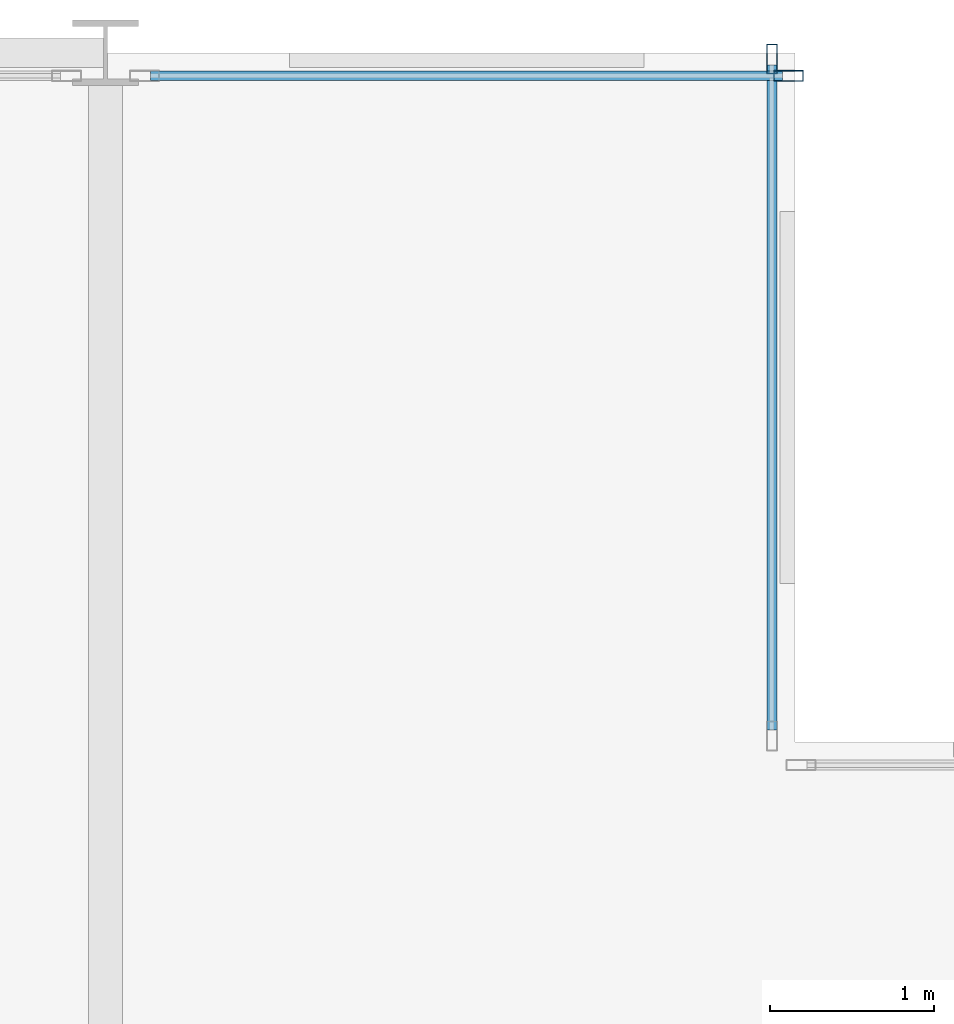
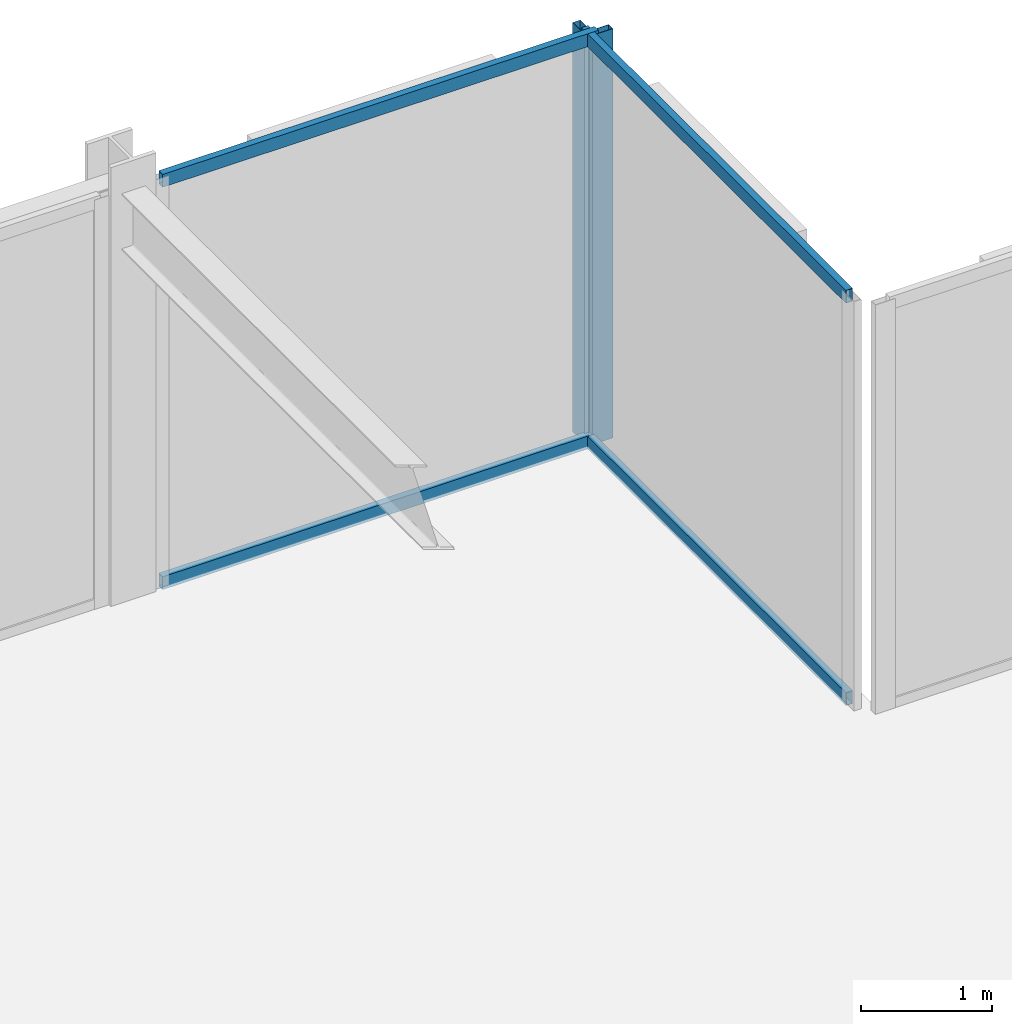
# One storey, part 22 of 29: 6 members, 2 elements without a shape of their own.
"""IFC4 building model written with IfcOpenShell, lengths in metres."""

from ifc_helpers import new_model, si_unit, direction, frame, origin, origin_2d, place, context, subcontext, project, spatial, hollow_rectangle, extrude, material, layer, layer_set, material_profile, profile_set, type_object, element, aggregate, save


model = new_model("IFC4")

# Units and contexts
model_context = context("Model", 3, precision=1e-05, world=origin(), true_north=direction((0.0, 1.0)))
body_context = subcontext(model_context, "Body", "Model", "MODEL_VIEW")
ifc_project = project(units=[si_unit("LENGTHUNIT", "METRE"), si_unit("AREAUNIT", "SQUARE_METRE"), si_unit("VOLUMEUNIT", "CUBIC_METRE"), si_unit("PLANEANGLEUNIT", "RADIAN"), si_unit("MASSUNIT", "GRAM", prefix="KILO")], contexts=[model_context])

# Site, building, storey
site_placement = place(None, origin())
site = spatial("IfcSite", under=ifc_project, at=site_placement, CompositionType="ELEMENT")
building_placement = place(site_placement, origin())
building = spatial("IfcBuilding", under=site, at=building_placement, Name="Nerrivon Quay Data Exchange", CompositionType="ELEMENT")
storey_placement = place(building_placement, frame((0.0, 0.0, 150.0)))
storey = spatial("IfcBuildingStorey", under=building, at=storey_placement, Name="L35", CompositionType="ELEMENT", Elevation=150.0)

# Curtain wall, member
ifc_material = material(Name="Anodised aluminium 6063-T6", Category="aluminium")
ifc_layer = layer(ifc_material, 0.2099609375)
ifc_layer_set = layer_set([ifc_layer], Name="Anodised aluminium 6063-T6")
curtain_wall_type = type_object("IfcCurtainWallType", Name="CW-SYS-02", PredefinedType="NOTDEFINED", material=ifc_layer_set)
curtain_wall_1_placement = place(storey_placement, origin())
curtain_wall_1 = element("IfcCurtainWall", 1, at=curtain_wall_1_placement, inside=storey, type_object=curtain_wall_type, Name="L35 Unitised Curtain Wall 20", PredefinedType="NOTDEFINED")
ifc_material_profile_1 = material_profile(ifc_material, hollow_rectangle(XDim=0.06494140625, YDim=0.179931640625, WallThickness=0.00341796875, at=origin_2d()), Name="ALU-MULL-180x65")
ifc_profile_set_1 = profile_set([ifc_material_profile_1], Name="Anodised aluminium 6063-T6")
member_type_1 = type_object("IfcMemberType", Name="CWM-180x65", PredefinedType="MULLION", material=ifc_profile_set_1)
member_1_placement = place(storey_placement, frame((20.96240234375, 50.260009765625, 0.0), z_axis=(0.0, 0.0, 1.0), x_axis=(0.0, 1.0, 0.0)))
member_1 = element("IfcMember", 2, at=member_1_placement, type_object=member_type_1, Name="CW02 mullion 2", PredefinedType="MULLION", context=body_context, shape_type="SweptSolid", body=[
    extrude(hollow_rectangle(XDim=0.06494140625, YDim=0.179931640625, WallThickness=0.00341796875, at=origin_2d()), origin(), (0.0, 0.0, 1.0), 3.824951171875),
])

curtain_wall_2_placement = place(storey_placement, origin())
curtain_wall_2 = element("IfcCurtainWall", 3, at=curtain_wall_2_placement, inside=storey, type_object=curtain_wall_type, Name="L35 Unitised Curtain Wall 21", PredefinedType="NOTDEFINED")
member_2_placement = place(storey_placement, frame((20.860107421875, 50.362548828125, 0.0), z_axis=(0.0, 0.0, 1.0), x_axis=(1.0, 0.0, 0.0)))
member_2 = element("IfcMember", 4, at=member_2_placement, type_object=member_type_1, Name="CW02 mullion 1", PredefinedType="MULLION", context=body_context, shape_type="SweptSolid", body=[
    extrude(hollow_rectangle(XDim=0.06494140625, YDim=0.179931640625, WallThickness=0.00341796875, at=origin_2d()), origin(), (0.0, 0.0, 1.0), 3.824951171875),
])

# Member
ifc_material_profile_2 = material_profile(ifc_material, hollow_rectangle(XDim=0.06005859375, YDim=0.1201171875, WallThickness=0.003173828125, at=origin_2d()), Name="ALU-TRAN-120x60")
ifc_profile_set_2 = profile_set([ifc_material_profile_2], Name="Anodised aluminium 6063-T6")
member_type_2 = type_object("IfcMemberType", Name="CWT-120x60", PredefinedType="USERDEFINED", material=ifc_profile_set_2)
member_3_placement = place(storey_placement, frame((17.074951171875, 50.260009765625, 0.032470703125), z_axis=(1.0, 0.0, 0.0), x_axis=(0.0, 1.0, 0.0)))
member_3 = element("IfcMember", 5, at=member_3_placement, type_object=member_type_2, Name="CW02 transom 1.1", ObjectType="TRANSOM", PredefinedType="USERDEFINED", context=body_context, shape_type="SweptSolid", body=[
    extrude(hollow_rectangle(XDim=0.06005859375, YDim=0.1201171875, WallThickness=0.003173828125, at=origin_2d()), origin(), (0.0, 0.0, 1.0), 3.85009765625),
])

member_4_placement = place(storey_placement, frame((17.074951171875, 50.260009765625, 3.79248046875), z_axis=(1.0, 0.0, 0.0), x_axis=(0.0, 1.0, 0.0)))
member_4 = element("IfcMember", 6, at=member_4_placement, type_object=member_type_2, Name="CW02 transom 1.2", ObjectType="TRANSOM", PredefinedType="USERDEFINED", context=body_context, shape_type="SweptSolid", body=[
    extrude(hollow_rectangle(XDim=0.06005859375, YDim=0.1201171875, WallThickness=0.003173828125, at=origin_2d()), origin(), (0.0, 0.0, 1.0), 3.85009765625),
])

aggregate(curtain_wall_1, [member_1, member_3, member_4])

member_5_placement = place(storey_placement, frame((20.860107421875, 50.324951171875, 0.032470703125), z_axis=(0.0, -1.0, 0.0), x_axis=(1.0, 0.0, 0.0)))
member_5 = element("IfcMember", 7, at=member_5_placement, type_object=member_type_2, Name="CW02 transom 1.1", ObjectType="TRANSOM", PredefinedType="USERDEFINED", context=body_context, shape_type="SweptSolid", body=[
    extrude(hollow_rectangle(XDim=0.06005859375, YDim=0.1201171875, WallThickness=0.003173828125, at=origin_2d()), origin(), (0.0, 0.0, 1.0), 4.050048828125),
])

member_6_placement = place(storey_placement, frame((20.860107421875, 50.324951171875, 3.79248046875), z_axis=(0.0, -1.0, 0.0), x_axis=(1.0, 0.0, 0.0)))
member_6 = element("IfcMember", 8, at=member_6_placement, type_object=member_type_2, Name="CW02 transom 1.2", ObjectType="TRANSOM", PredefinedType="USERDEFINED", context=body_context, shape_type="SweptSolid", body=[
    extrude(hollow_rectangle(XDim=0.06005859375, YDim=0.1201171875, WallThickness=0.003173828125, at=origin_2d()), origin(), (0.0, 0.0, 1.0), 4.050048828125),
])

aggregate(curtain_wall_2, [member_2, member_5, member_6])

save(model, "model.ifc")
